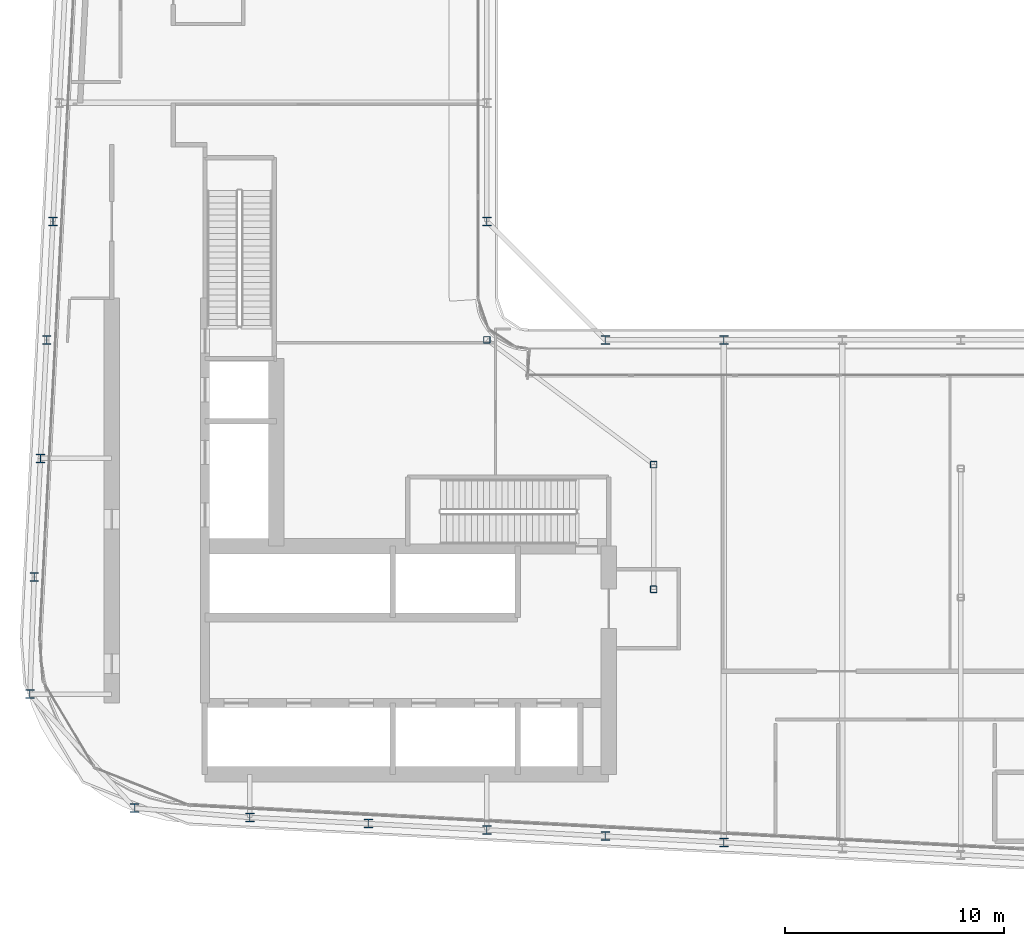
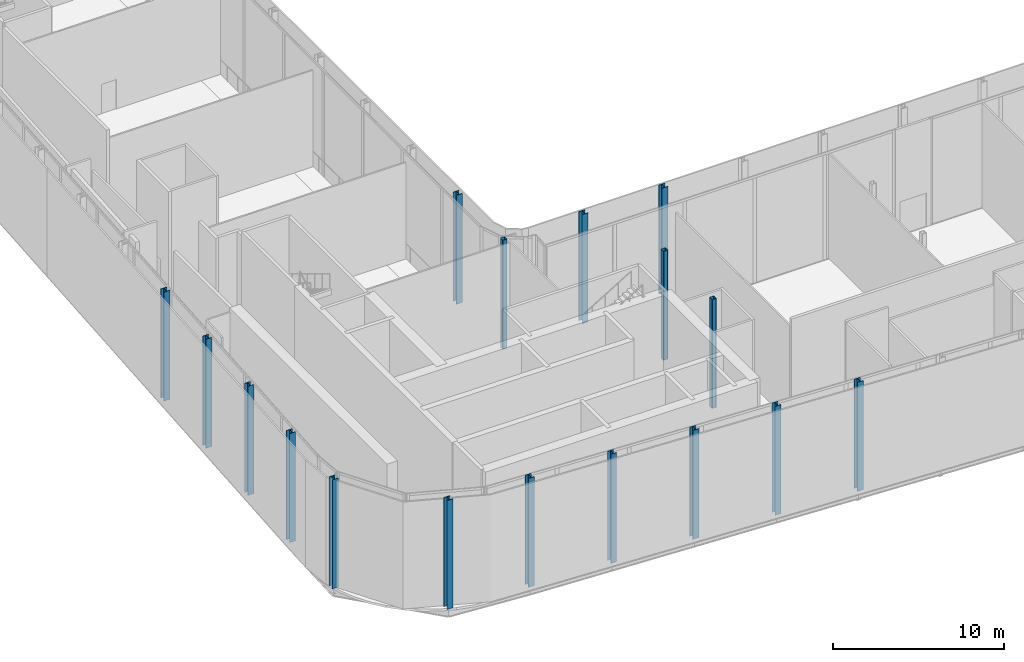
# One storey, part 1 of 38: 17 columns.
"""IFC4 building model written with IfcOpenShell, lengths in metres."""

from ifc_helpers import new_model, si_unit, direction, frame, origin, origin_2d, place, context, subcontext, project, spatial, hollow_rectangle, i_section, extrude, material, material_profile, profile_set, type_object, element, save


model = new_model("IFC4")

# Units and contexts
model_context = context("Model", 3, precision=1e-05, world=origin(), true_north=direction((0.0, 1.0)))
body_context = subcontext(model_context, "Body", "Model", "MODEL_VIEW")
ifc_project = project(units=[si_unit("LENGTHUNIT", "METRE"), si_unit("AREAUNIT", "SQUARE_METRE"), si_unit("VOLUMEUNIT", "CUBIC_METRE"), si_unit("PLANEANGLEUNIT", "RADIAN"), si_unit("MASSUNIT", "GRAM", prefix="KILO")], contexts=[model_context])

# Site, building, storey
site_placement = place(None, origin())
site = spatial("IfcSite", under=ifc_project, at=site_placement, CompositionType="ELEMENT")
building_placement = place(site_placement, origin())
building = spatial("IfcBuilding", under=site, at=building_placement, Name="Kheshtan School and Residences Tower", CompositionType="ELEMENT")
storey_placement = place(building_placement, frame((0.0, 0.0, 203.300048828125)))
storey = spatial("IfcBuildingStorey", under=building, at=storey_placement, Name="L48", CompositionType="ELEMENT", Elevation=203.300048828125)

# Columns
ifc_material_1 = material(Name="Steel ASTM A992 Grade 50", Category="steel")
ifc_material_profile_1 = material_profile(ifc_material_1, i_section(OverallWidth=0.404052734375, OverallDepth=0.406982421875, WebThickness=0.027099609375, FlangeThickness=0.043701171875, FilletRadius=0.01220703125, at=origin_2d()), Name="W360x347")
ifc_profile_set_1 = profile_set([ifc_material_profile_1], Name="Steel ASTM A992 Grade 50")
column_type_1 = type_object("IfcColumnType", Name="Column C4 W360x347 ASTM A992 Grade 50", PredefinedType="COLUMN", material=ifc_profile_set_1)
for number, where, z_axis, x_axis, name in (
    (1, (58.39990234375, 22.695068359375, 0.0), (0.0, 0.0, 1.0), (1.0, 0.0, 0.0), "Column C018"),
    (2, (53.0, 22.97998046875, 0.0), (0.0, 0.0, 1.0), (1.0, 0.0, 0.0), "Column C019"),
    (3, (47.60009765625, 23.263916015625, 0.0), (0.0, 0.0, 1.0), (1.0, 0.0, 0.0), "Column C020"),
    (4, (42.199951171875, 23.548095703125, 0.0), (0.0, 0.0, 1.0), (1.0, 0.0, 0.0), "Column C021"),
    (5, (36.800048828125, 23.83203125, 0.0), (0.0, 0.0, 1.0), (1.0, 0.0, 0.0), "Column C022"),
    (6, (31.5419921875, 24.257080078125, 0.0), (0.0, 0.0, 1.0), (1.0, 0.0, 0.0), "Column C025"),
    (7, (26.76904296875, 29.4541015625, 0.0), (0.0, 0.0, 1.0), (1.0, 0.0, 0.0), "Column C038"),
    (8, (26.968994140625, 34.800048828125, 0.0), (0.0, 0.0, 1.0), (1.0, 0.0, 0.0), "Column C052"),
    (9, (27.2529296875, 40.199951171875, 0.0), (0.0, 0.0, 1.0), (1.0, 0.0, 0.0), "Column C056"),
    (10, (27.537109375, 45.60009765625, 0.0), (0.0, 0.0, 1.0), (1.0, 0.0, 0.0), "Column C059"),
    (11, (53.0, 45.60009765625, 0.0), (0.0, 0.0, 1.0), (1.0, 0.0, 0.0), "Column C061"),
    (12, (58.39990234375, 45.60009765625, 0.0), (0.0, 0.0, 1.0), (1.0, 0.0, 0.0), "Column C062"),
    (13, (27.822021484375, 51.0, 0.0), (0.0, 0.0, 1.0), (1.0, 0.0, 0.0), "Column C078"),
    (14, (47.60009765625, 51.0, 0.0), (0.0, 0.0, 1.0), (1.0, 0.0, 0.0), "Column C079"),
):
    element("IfcColumn", number, at=place(storey_placement, frame(where, z_axis=z_axis, x_axis=x_axis)), inside=storey, type_object=column_type_1, Name=name, PredefinedType="COLUMN", context=body_context, shape_type="SweptSolid", body=[
        extrude(i_section(OverallWidth=0.404052734375, OverallDepth=0.406982421875, WebThickness=0.027099609375, FlangeThickness=0.043701171875, FilletRadius=0.01220703125, at=origin_2d()), origin(), (0.0, 0.0, 1.0), 7.800048828125),
    ])
ifc_material_2 = material(Name="Steel ASTM A500 Grade C", Category="steel")
ifc_material_profile_2 = material_profile(ifc_material_2, hollow_rectangle(XDim=0.304931640625, YDim=0.304931640625, WallThickness=0.015869140625, InnerFilletRadius=0.015869140625, OuterFilletRadius=0.03173828125, at=origin_2d()), Name="HSS 305x305x15.9")
ifc_profile_set_2 = profile_set([ifc_material_profile_2], Name="Steel ASTM A500 Grade C")
column_type_2 = type_object("IfcColumnType", Name="Column IC2 HSS 305x305x15.9 ASTM A500 Grade C", PredefinedType="COLUMN", material=ifc_profile_set_2)
for number, where, z_axis, x_axis, name in (
    (15, (55.199951171875, 34.23193359375, 0.0), (0.0, 0.0, 1.0), (1.0, 0.0, 0.0), "Column C051"),
    (16, (55.199951171875, 39.916015625, 0.0), (0.0, 0.0, 1.0), (1.0, 0.0, 0.0), "Column C055"),
    (17, (47.60009765625, 45.60009765625, 0.0), (0.0, 0.0, 1.0), (1.0, 0.0, 0.0), "Column C060"),
):
    element("IfcColumn", number, at=place(storey_placement, frame(where, z_axis=z_axis, x_axis=x_axis)), inside=storey, type_object=column_type_2, Name=name, PredefinedType="COLUMN", context=body_context, shape_type="SweptSolid", body=[
        extrude(hollow_rectangle(XDim=0.304931640625, YDim=0.304931640625, WallThickness=0.015869140625, InnerFilletRadius=0.015869140625, OuterFilletRadius=0.03173828125, at=origin_2d()), origin(), (0.0, 0.0, 1.0), 7.800048828125),
    ])

save(model, "model.ifc")
